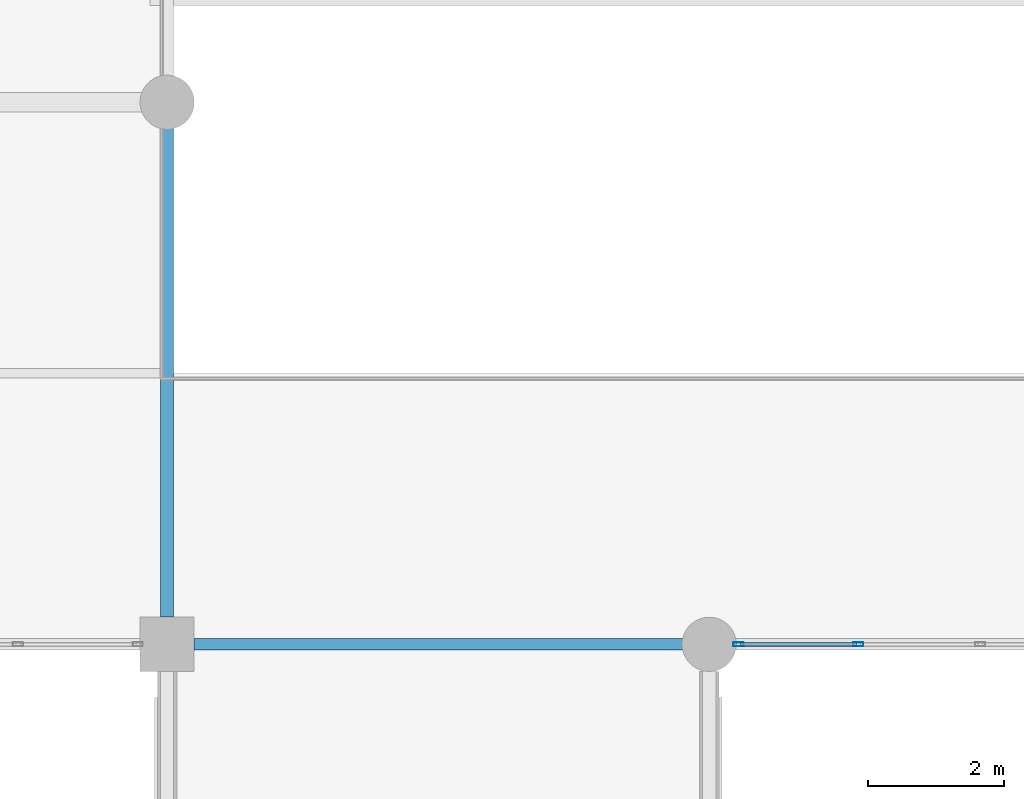
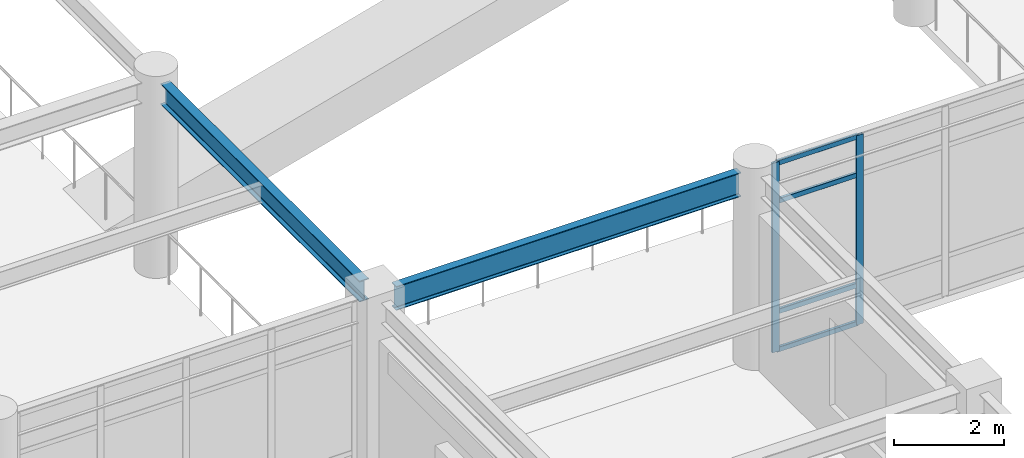
# One storey, part 20 of 75: 6 members, 2 beams, 1 element without a shape of its own.
"""IFC4 building model written with IfcOpenShell, lengths in metres."""

import ifcopenshell
import ifcopenshell.guid

model = None  # the IFC model being written
_history = None  # IfcOwnerHistory: only IFC2X3 demands one
_inside = {}  # id of a spatial element -> (the spatial element, [elements in it])
_under = {}  # id of a project, library or spatial element -> (it, [spatial elements below it])
_declared = {}  # id of a project -> (the project, [libraries it declares])
_typed = {}  # id of a type object -> (the type object, [elements of that type])
_made_of = {}  # id of a material, layer set ... -> (it, [elements and type objects made of it])


def new_model(schema):
    """Start an empty IFC model of exactly this schema.

    Asked for "IFC4X3", IfcOpenShell would pick the latest addendum, in which some entities
    have other attributes; the version numbers below select the first issue.
    IFC2X3 requires an IfcOwnerHistory on every rooted entity: one is made here for all.
    """
    global model, _history
    if schema == "IFC4X3":
        model = ifcopenshell.file(schema_version=(4, 3, 0, 0))
    else:
        model = ifcopenshell.file(schema=schema)
    _inside.clear()
    _under.clear()
    _declared.clear()
    _typed.clear()
    _made_of.clear()
    _history = None
    if model.schema == "IFC2X3":
        org = make("IfcOrganization", Name="unknown")
        user = make(
            "IfcPersonAndOrganization",
            ThePerson=make("IfcPerson", FamilyName="unknown"),
            TheOrganization=org,
        )
        app = make(
            "IfcApplication",
            ApplicationDeveloper=org,
            Version="unknown",
            ApplicationFullName="unknown",
            ApplicationIdentifier="unknown",
        )
        _history = make(
            "IfcOwnerHistory",
            OwningUser=user,
            OwningApplication=app,
            ChangeAction="ADDED",
            CreationDate=0,
        )
    return model


def make(cls, **values):
    """One entity of the class cls with the attributes given. An attribute that is None is left unset."""
    return model.create_entity(
        cls, **{name: value for name, value in values.items() if value is not None}
    )


def rooted(cls, **values):
    """An entity with a GlobalId (a new one), such as an element, a storey or a relation."""
    return make(cls, GlobalId=ifcopenshell.guid.new(), OwnerHistory=_history, **values)


def si_unit(unit_type, name, prefix=None):
    """IfcSIUnit, for example si_unit("LENGTHUNIT", "METRE", prefix="MILLI")."""
    return make("IfcSIUnit", UnitType=unit_type, Prefix=prefix, Name=name)


def assignment(units):
    """IfcUnitAssignment: the units of a project."""
    return None if units is None else make("IfcUnitAssignment", Units=units)


def point(xyz):
    """IfcCartesianPoint."""
    return None if xyz is None else make("IfcCartesianPoint", Coordinates=xyz)


def direction(xyz):
    """IfcDirection."""
    return None if xyz is None else make("IfcDirection", DirectionRatios=xyz)


def frame(location, z_axis=None, x_axis=None):
    """IfcAxis2Placement3D, a coordinate frame: its origin and axes. An axis left out is left unset."""
    return make(
        "IfcAxis2Placement3D",
        Location=point(location),
        Axis=direction(z_axis),
        RefDirection=direction(x_axis),
    )


def frame_2d(location, x_axis=None):
    """IfcAxis2Placement2D, a coordinate frame in the plane: its origin and x axis."""
    return make(
        "IfcAxis2Placement2D", Location=point(location), RefDirection=direction(x_axis)
    )


def origin():
    """The frame at (0, 0, 0) with its axes left unset."""
    return frame((0.0, 0.0, 0.0))


def origin_2d():
    """The frame at (0, 0) in the plane with its x axis left unset."""
    return frame_2d((0.0, 0.0))


def place(relative_to, where):
    """IfcLocalPlacement: puts the frame where relative to a parent placement (None: the world)."""
    return make(
        "IfcLocalPlacement", PlacementRelTo=relative_to, RelativePlacement=where
    )


def context(
    kind, dimensions, precision=None, world=None, true_north=None, identifier=None
):
    """IfcGeometricRepresentationContext, for example the 3D "Model" context."""
    return make(
        "IfcGeometricRepresentationContext",
        ContextIdentifier=identifier,
        ContextType=kind,
        CoordinateSpaceDimension=dimensions,
        Precision=precision,
        WorldCoordinateSystem=world,
        TrueNorth=true_north,
    )


def subcontext(parent, identifier, kind, view, scale=None):
    """IfcGeometricRepresentationSubContext, for example "Body" below "Model"."""
    return make(
        "IfcGeometricRepresentationSubContext",
        ContextIdentifier=identifier,
        ContextType=kind,
        ParentContext=parent,
        TargetScale=scale,
        TargetView=view,
    )


def project(units=None, contexts=None):
    """IfcProject with its units and contexts."""
    return rooted(
        "IfcProject",
        Name="project",
        RepresentationContexts=contexts,
        UnitsInContext=assignment(units),
    )


def spatial(cls, under=None, at=None, **own):
    """A site, building, storey or space (cls), placed at a placement, below another one or the project."""
    s = rooted(cls, ObjectPlacement=at, **own)
    if under is not None:
        _under.setdefault(under.id(), (under, []))[1].append(s)
    return s


def profile(cls, at=None, kind="AREA", **sizes):
    """A parametric profile (cls). Its sizes go by their IFC names, for example OverallWidth=200.0."""
    return make(cls, ProfileType=kind, Position=at, **sizes)


def hollow_rectangle(**sizes):
    """IfcRectangleHollowProfileDef."""
    return profile("IfcRectangleHollowProfileDef", **sizes)


def i_section(**sizes):
    """IfcIShapeProfileDef."""
    return profile("IfcIShapeProfileDef", **sizes)


def extrude(swept, where, along, depth):
    """IfcExtrudedAreaSolid: the profile swept, set in the frame where, extruded along a direction by depth."""
    return make(
        "IfcExtrudedAreaSolid",
        SweptArea=swept,
        Position=where,
        ExtrudedDirection=direction(along),
        Depth=depth,
    )


def shape(context_of_items, identifier, shape_type, items):
    """IfcShapeRepresentation: the items that make up one representation, for example the "Body"."""
    return make(
        "IfcShapeRepresentation",
        ContextOfItems=context_of_items,
        RepresentationIdentifier=identifier,
        RepresentationType=shape_type,
        Items=items,
    )


def material(Name=None, Category=None):
    """IfcMaterial."""
    return make("IfcMaterial", Name=Name, Category=Category)


def material_profile(
    of_material, cross_section, Name=None, Category=None, Priority=None
):
    """IfcMaterialProfile: a cross section and its material."""
    return make(
        "IfcMaterialProfile",
        Name=Name,
        Material=of_material,
        Profile=cross_section,
        Priority=Priority,
        Category=Category,
    )


def profile_set(profiles, Name=None, composite=None):
    """IfcMaterialProfileSet."""
    return make(
        "IfcMaterialProfileSet",
        Name=Name,
        MaterialProfiles=profiles,
        CompositeProfile=composite,
    )


def made_of(thing, what):
    """Note that an element or type object is made of a material, layer set ...; save() writes the relation."""
    if what is not None:
        _made_of.setdefault(what.id(), (what, []))[1].append(thing)
    return thing


def type_object(cls, material=None, **own):
    """A type object (cls), such as IfcWallType, which elements share."""
    return made_of(rooted(cls, **own), material)


def element(
    cls,
    number,
    at=None,
    inside=None,
    cuts=None,
    type_object=None,
    material=None,
    context=None,
    identifier="Body",
    shape_type=None,
    held_by="IfcProductDefinitionShape",
    body=None,
    shapes=None,
    **own,
):
    """One element of the class cls, such as IfcWall. Its Tag is "e" and its number.

    at: its placement. inside: the storey or other place that contains it. cuts: it is an
    opening in that element (IfcRelVoidsElement). A single representation is given by context,
    identifier, shape_type and body (its items); several are given by shapes. held_by: the class
    of the entity that holds the representations. save() writes the other relations.
    """
    e = rooted(cls, Tag="e%d" % number, ObjectPlacement=at, **own)
    if body is not None:
        shapes = [shape(context, identifier, shape_type, body)]
    if shapes is not None:
        e.Representation = make(held_by, Representations=shapes)
    if inside is not None:
        _inside.setdefault(inside.id(), (inside, []))[1].append(e)
    if cuts is not None:
        rooted(
            "IfcRelVoidsElement", RelatingBuildingElement=cuts, RelatedOpeningElement=e
        )
    if type_object is not None:
        _typed.setdefault(type_object.id(), (type_object, []))[1].append(e)
    return made_of(e, material)


def aggregate(whole, parts):
    """IfcRelAggregates: a whole, such as a stair, and the parts it consists of."""
    return rooted("IfcRelAggregates", RelatingObject=whole, RelatedObjects=parts)


def save(model, path):
    """Write the relations noted so far, then the file.

    IfcRelAggregates (storeys below a building ...), IfcRelContainedInSpatialStructure (elements
    in a storey), IfcRelDefinesByType, IfcRelAssociatesMaterial and IfcRelDeclares: one each for
    every whole, place, type object, material and project.
    """
    for whole, parts in _under.values():
        aggregate(whole, parts)
    for where, things in _inside.values():
        rooted(
            "IfcRelContainedInSpatialStructure",
            RelatedElements=things,
            RelatingStructure=where,
        )
    for kind, things in _typed.values():
        rooted("IfcRelDefinesByType", RelatedObjects=things, RelatingType=kind)
    for what, things in _made_of.values():
        rooted("IfcRelAssociatesMaterial", RelatedObjects=things, RelatingMaterial=what)
    for by, libraries in _declared.values():
        rooted("IfcRelDeclares", RelatingContext=by, RelatedDefinitions=libraries)
    model.write(path)


model = new_model("IFC4")

# Units and contexts
model_context = context("Model", 3, precision=1e-05, world=origin(), true_north=direction((0.0, 1.0)))
body_context = subcontext(model_context, "Body", "Model", "MODEL_VIEW")
ifc_project = project(units=[si_unit("LENGTHUNIT", "METRE"), si_unit("AREAUNIT", "SQUARE_METRE"), si_unit("VOLUMEUNIT", "CUBIC_METRE"), si_unit("PLANEANGLEUNIT", "RADIAN"), si_unit("MASSUNIT", "GRAM", prefix="KILO")], contexts=[model_context])

# Site, building, storey
site_placement = place(None, origin())
site = spatial("IfcSite", under=ifc_project, at=site_placement, CompositionType="ELEMENT")
building_placement = place(site_placement, origin())
building = spatial("IfcBuilding", under=site, at=building_placement, Name="Solmirada Galleria", CompositionType="ELEMENT")
storey_placement = place(building_placement, frame((0.0, 0.0, 19.39990234375)))
storey = spatial("IfcBuildingStorey", under=building, at=storey_placement, Name="L04", CompositionType="ELEMENT", Elevation=19.39990234375)

# Beams
ifc_material_1 = material(Name="Steel S355 / ASTM A992 Grade 50", Category="steel")
ifc_material_profile_1 = material_profile(ifc_material_1, i_section(OverallWidth=0.193115234375, OverallDepth=0.466064453125, WebThickness=0.011474609375, FlangeThickness=0.01904296875, FilletRadius=0.013916015625, at=origin_2d()), Name="W18X65")
ifc_profile_set_1 = profile_set([ifc_material_profile_1], Name="Steel S355 / ASTM A992 Grade 50")
beam_type_1 = type_object("IfcBeamType", Name="BM-GIRD-W18C", PredefinedType="BEAM", material=ifc_profile_set_1)
beam_1_placement = place(storey_placement, frame((88.0, 48.39990234375, 4.067138671875), z_axis=(0.0, 1.0, 0.0), x_axis=(-1.0, 0.0, 0.0)))
element("IfcBeam", 1, at=beam_1_placement, inside=storey, type_object=beam_type_1, Name="Primary girder L05 Y(88, 48..56)", PredefinedType="BEAM", context=body_context, shape_type="SweptSolid", body=[
    extrude(i_section(OverallWidth=0.193115234375, OverallDepth=0.466064453125, WebThickness=0.011474609375, FlangeThickness=0.01904296875, FilletRadius=0.013916015625, at=origin_2d()), origin(), (0.0, 0.0, 1.0), 7.26416015625),
])
ifc_material_profile_2 = material_profile(ifc_material_1, i_section(OverallWidth=0.1669921875, OverallDepth=0.534912109375, WebThickness=0.01025390625, FlangeThickness=0.0166015625, FilletRadius=0.013916015625, at=origin_2d()), Name="W21X57")
ifc_profile_set_2 = profile_set([ifc_material_profile_2], Name="Steel S355 / ASTM A992 Grade 50")
beam_type_2 = type_object("IfcBeamType", Name="BM-GIRD-W21C", PredefinedType="BEAM", material=ifc_profile_set_2)
beam_2_placement = place(storey_placement, frame((88.39990234375, 48.0, 4.03271484375), z_axis=(1.0, 0.0, 0.0), x_axis=(0.0, 1.0, 0.0)))
element("IfcBeam", 2, at=beam_2_placement, inside=storey, type_object=beam_type_2, Name="Primary beam L05 X(88..96, 48)", PredefinedType="BEAM", context=body_context, shape_type="SweptSolid", body=[
    extrude(i_section(OverallWidth=0.1669921875, OverallDepth=0.534912109375, WebThickness=0.01025390625, FlangeThickness=0.0166015625, FilletRadius=0.013916015625, at=origin_2d()), origin(), (0.0, 0.0, 1.0), 7.26416015625),
])

# Curtain wall, members
ifc_material_2 = material(Name="Impact-resistant low-E double glazing", Category="glass")
curtain_wall_type = type_object("IfcCurtainWallType", Name="CW-FZ3-L04-B4-L072", PredefinedType="NOTDEFINED", material=ifc_material_2)
curtain_wall_placement = place(storey_placement, origin())
curtain_wall = element("IfcCurtainWall", 3, at=curtain_wall_placement, inside=storey, type_object=curtain_wall_type, Name="Terrace and arcade storefront CW-L04-158", PredefinedType="NOTDEFINED")
ifc_material_3 = material(Name="Anodised aluminium framing", Category="aluminium")
ifc_material_profile_3 = material_profile(ifc_material_3, hollow_rectangle(XDim=0.06005859375, YDim=0.14990234375, WallThickness=0.00341796875, InnerFilletRadius=0.00341796875, OuterFilletRadius=0.007080078125, at=origin_2d()), Name="ALU-MULL-150X60")
ifc_profile_set_3 = profile_set([ifc_material_profile_3], Name="Anodised aluminium framing")
member_type_1 = type_object("IfcMemberType", Name="CW-MULL-150", PredefinedType="MULLION", material=ifc_profile_set_3)
member_1_placement = place(storey_placement, frame((98.200927734375, 48.0, 0.0), z_axis=(0.0, 0.0, 1.0), x_axis=(0.0, -1.0, 0.0)))
member_1 = element("IfcMember", 4, at=member_1_placement, type_object=member_type_1, Name="CW30 mullion 4", PredefinedType="MULLION", context=body_context, shape_type="SweptSolid", body=[
    extrude(hollow_rectangle(XDim=0.06005859375, YDim=0.14990234375, WallThickness=0.00341796875, InnerFilletRadius=0.00341796875, OuterFilletRadius=0.007080078125, at=origin_2d()), origin(), (0.0, 0.0, 1.0), 4.22021484375),
])
member_2_placement = place(storey_placement, frame((96.431884765625, 48.0, 0.0), z_axis=(0.0, 0.0, 1.0), x_axis=(0.0, -1.0, 0.0)))
member_2 = element("IfcMember", 5, at=member_2_placement, type_object=member_type_1, Name="CW30 mullion 5", PredefinedType="MULLION", context=body_context, shape_type="SweptSolid", body=[
    extrude(hollow_rectangle(XDim=0.06005859375, YDim=0.14990234375, WallThickness=0.00341796875, InnerFilletRadius=0.00341796875, OuterFilletRadius=0.007080078125, at=origin_2d()), origin(), (0.0, 0.0, 1.0), 4.22021484375),
])
ifc_material_profile_4 = material_profile(ifc_material_3, hollow_rectangle(XDim=0.06005859375, YDim=0.110107421875, WallThickness=0.003173828125, InnerFilletRadius=0.003173828125, OuterFilletRadius=0.00634765625, at=origin_2d()), Name="ALU-TRAN-110X60")
ifc_profile_set_4 = profile_set([ifc_material_profile_4], Name="Anodised aluminium framing")
member_type_2 = type_object("IfcMemberType", Name="CW-TRAN-110", PredefinedType="USERDEFINED", material=ifc_profile_set_4)
member_3_placement = place(storey_placement, frame((98.1708984375, 48.0, 0.030029296875), z_axis=(-1.0, 0.0, 0.0), x_axis=(0.0, -1.0, 0.0)))
member_3 = element("IfcMember", 6, at=member_3_placement, type_object=member_type_2, Name="CW30 transom 4.1", ObjectType="TRANSOM", PredefinedType="USERDEFINED", context=body_context, shape_type="SweptSolid", body=[
    extrude(hollow_rectangle(XDim=0.06005859375, YDim=0.110107421875, WallThickness=0.003173828125, InnerFilletRadius=0.003173828125, OuterFilletRadius=0.00634765625, at=origin_2d()), origin(), (0.0, 0.0, 1.0), 1.708984375),
])
member_4_placement = place(storey_placement, frame((98.1708984375, 48.0, 0.880126953125), z_axis=(-1.0, 0.0, 0.0), x_axis=(0.0, -1.0, 0.0)))
member_4 = element("IfcMember", 7, at=member_4_placement, type_object=member_type_2, Name="CW30 transom 4.2", ObjectType="TRANSOM", PredefinedType="USERDEFINED", context=body_context, shape_type="SweptSolid", body=[
    extrude(hollow_rectangle(XDim=0.06005859375, YDim=0.110107421875, WallThickness=0.003173828125, InnerFilletRadius=0.003173828125, OuterFilletRadius=0.00634765625, at=origin_2d()), origin(), (0.0, 0.0, 1.0), 1.708984375),
])
member_5_placement = place(storey_placement, frame((98.1708984375, 48.0, 3.340087890625), z_axis=(-1.0, 0.0, 0.0), x_axis=(0.0, -1.0, 0.0)))
member_5 = element("IfcMember", 8, at=member_5_placement, type_object=member_type_2, Name="CW30 transom 4.3", ObjectType="TRANSOM", PredefinedType="USERDEFINED", context=body_context, shape_type="SweptSolid", body=[
    extrude(hollow_rectangle(XDim=0.06005859375, YDim=0.110107421875, WallThickness=0.003173828125, InnerFilletRadius=0.003173828125, OuterFilletRadius=0.00634765625, at=origin_2d()), origin(), (0.0, 0.0, 1.0), 1.708984375),
])
member_6_placement = place(storey_placement, frame((98.1708984375, 48.0, 4.190185546875), z_axis=(-1.0, 0.0, 0.0), x_axis=(0.0, -1.0, 0.0)))
member_6 = element("IfcMember", 9, at=member_6_placement, type_object=member_type_2, Name="CW30 transom 4.4", ObjectType="TRANSOM", PredefinedType="USERDEFINED", context=body_context, shape_type="SweptSolid", body=[
    extrude(hollow_rectangle(XDim=0.06005859375, YDim=0.110107421875, WallThickness=0.003173828125, InnerFilletRadius=0.003173828125, OuterFilletRadius=0.00634765625, at=origin_2d()), origin(), (0.0, 0.0, 1.0), 1.708984375),
])
aggregate(curtain_wall, [member_1, member_2, member_3, member_4, member_5, member_6])

save(model, "model.ifc")
